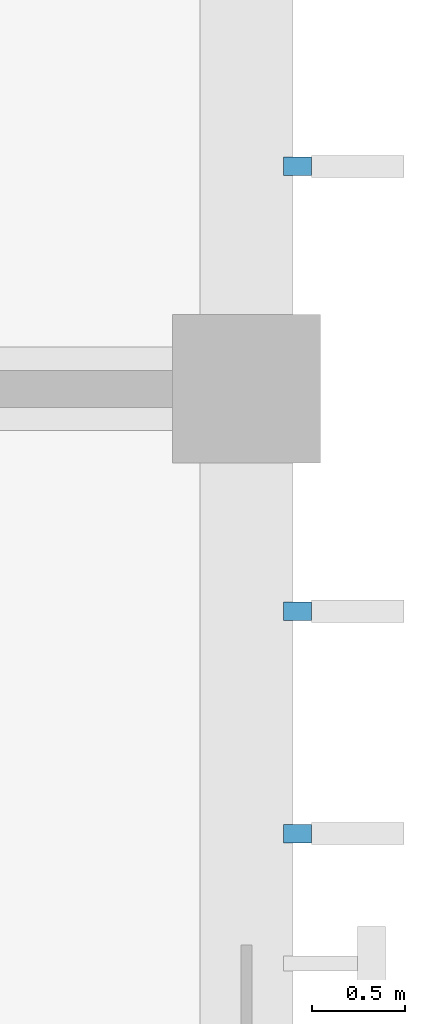
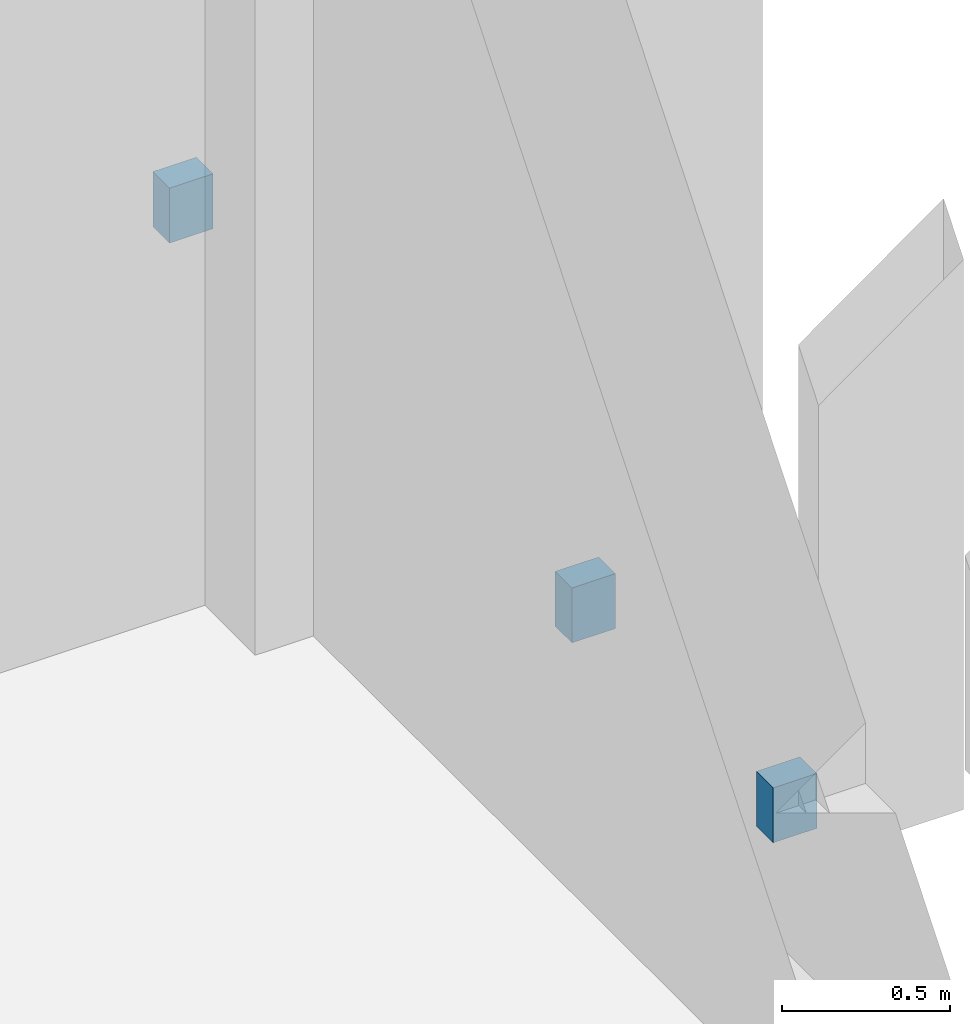
# One storey, part 401 of 437: 3 discrete accessories.
"""IFC4 building model written with IfcOpenShell, lengths in metres."""

from ifc_helpers import new_model, si_unit, direction, frame, origin, origin_2d, place, context, subcontext, project, spatial, rectangle, extrude, material, type_object, element, save


model = new_model("IFC4")

# Units and contexts
model_context = context("Model", 3, precision=1e-05, world=origin(), true_north=direction((0.0, 1.0)))
body_context = subcontext(model_context, "Body", "Model", "MODEL_VIEW")
ifc_project = project(units=[si_unit("LENGTHUNIT", "METRE"), si_unit("AREAUNIT", "SQUARE_METRE"), si_unit("VOLUMEUNIT", "CUBIC_METRE"), si_unit("PLANEANGLEUNIT", "RADIAN"), si_unit("MASSUNIT", "GRAM", prefix="KILO")], contexts=[model_context])

# Site, building, storey
site_placement = place(None, origin())
site = spatial("IfcSite", under=ifc_project, at=site_placement, CompositionType="ELEMENT")
building_placement = place(site_placement, origin())
building = spatial("IfcBuilding", under=site, at=building_placement, Name="Opaline Strait Convention Centre", CompositionType="ELEMENT")
storey_placement = place(building_placement, frame((0.0, 0.0, 11.5)))
storey = spatial("IfcBuildingStorey", under=building, at=storey_placement, Name="L02", CompositionType="ELEMENT", Elevation=11.5)

# Discrete accessories
ifc_material = material(Name="Stainless steel 304", Category="steel")
discrete_accessory_type = type_object("IfcDiscreteAccessoryType", Name="Fin bracket 150 stainless steel", PredefinedType="BRACKET", material=ifc_material)
for number, where, z_axis, x_axis, name in (
    (1, (360.27490234375, 132.60009765625, 0.35009765625), (0.0, 0.0, 1.0), (1.0, 0.0, 0.0), "Fin bracket"),
    (2, (360.27490234375, 133.800048828125, 0.35009765625), (0.0, 0.0, 1.0), (1.0, 0.0, 0.0), "Fin bracket"),
    (3, (360.27490234375, 136.199951171875, 0.35009765625), (0.0, 0.0, 1.0), (1.0, 0.0, 0.0), "Fin bracket"),
):
    element("IfcDiscreteAccessory", number, at=place(storey_placement, frame(where, z_axis=z_axis, x_axis=x_axis)), inside=storey, type_object=discrete_accessory_type, Name=name, PredefinedType="BRACKET", context=body_context, shape_type="SweptSolid", body=[
        extrude(rectangle(XDim=0.14990234375, YDim=0.10009765625, at=origin_2d()), origin(), (0.0, 0.0, 1.0), 0.199951171875),
    ])

save(model, "model.ifc")
